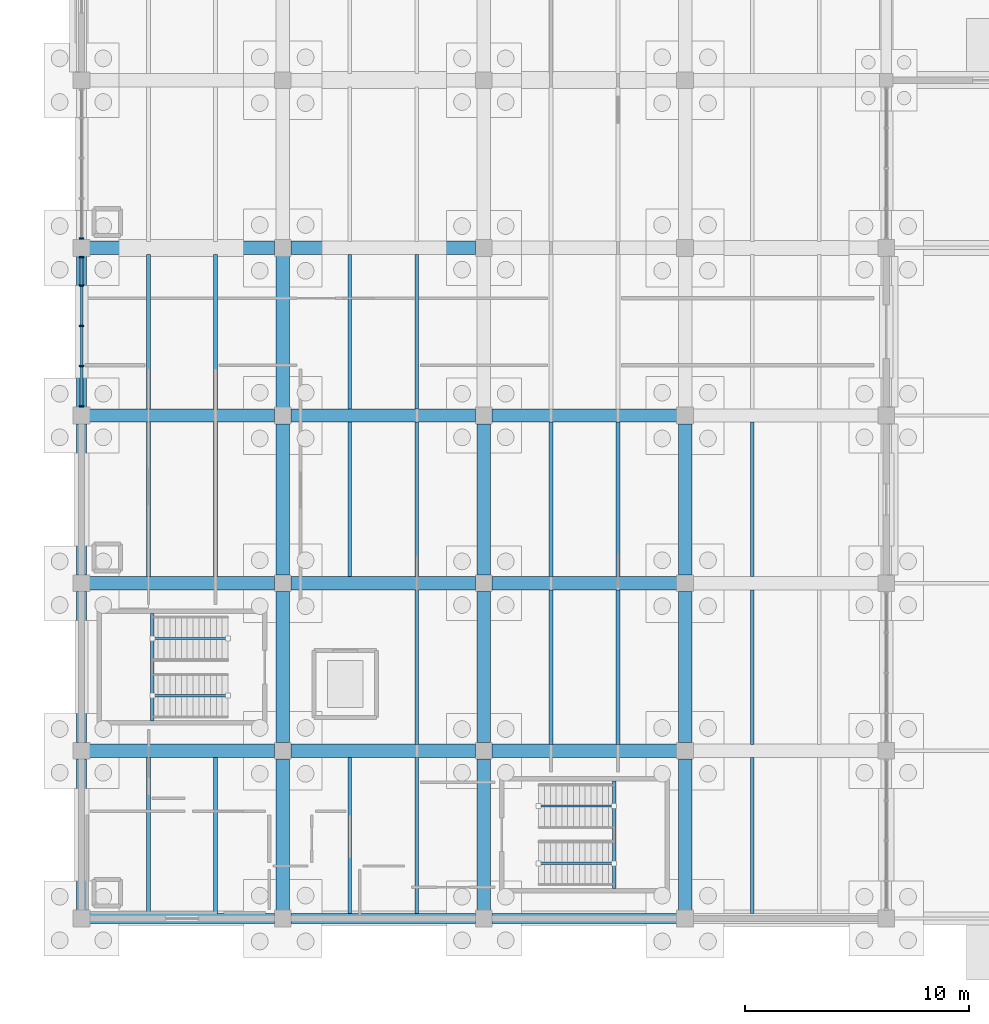
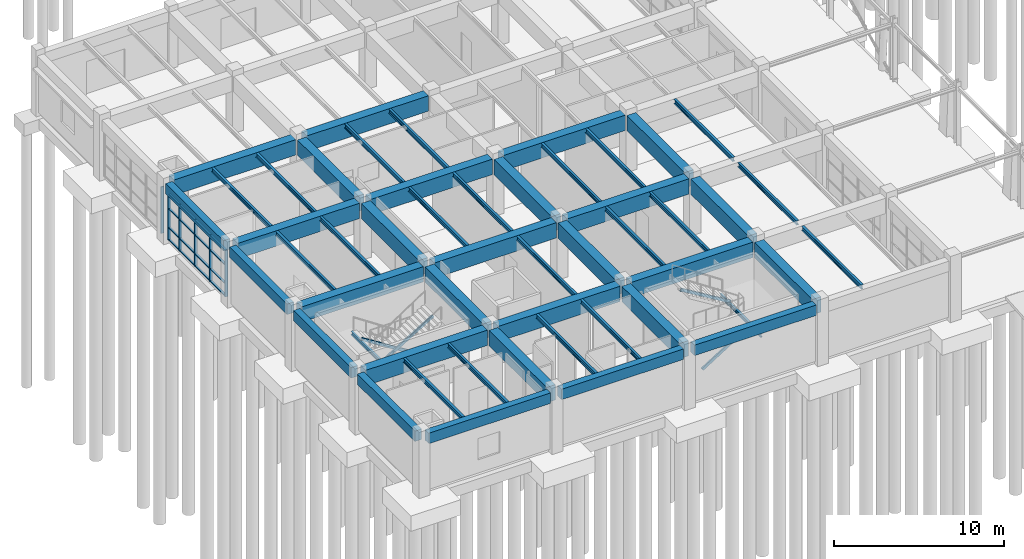
# One storey, part 16 of 93: 50 beams, 26 members, 2 elements without a shape of their own.
"""IFC4 building model written with IfcOpenShell, lengths in metres."""

from ifc_helpers import new_model, si_unit, direction, frame, origin, origin_2d, place, context, subcontext, project, spatial, rectangle, hollow_rectangle, i_section, extrude, material, layer, layer_set, material_profile, profile_set, type_object, element, aggregate, save


model = new_model("IFC4")

# Units and contexts
model_context = context("Model", 3, precision=1e-05, world=origin(), true_north=direction((0.0, 1.0)))
body_context = subcontext(model_context, "Body", "Model", "MODEL_VIEW")
ifc_project = project(units=[si_unit("LENGTHUNIT", "METRE"), si_unit("AREAUNIT", "SQUARE_METRE"), si_unit("VOLUMEUNIT", "CUBIC_METRE"), si_unit("PLANEANGLEUNIT", "RADIAN"), si_unit("MASSUNIT", "GRAM", prefix="KILO")], contexts=[model_context])

# Site, building, storey
site_placement = place(None, origin())
site = spatial("IfcSite", under=ifc_project, at=site_placement, CompositionType="ELEMENT")
building_placement = place(site_placement, origin())
building = spatial("IfcBuilding", under=site, at=building_placement, Name="Marnridge Secondary College", CompositionType="ELEMENT")
storey_placement = place(building_placement, origin())
storey = spatial("IfcBuildingStorey", under=building, at=storey_placement, Name="L00", CompositionType="ELEMENT", Elevation=0.0)

# Beams
ifc_material_1 = material(Name="Concrete C40/50 (AS 3600 N40, 40 MPa)", Category="concrete")
ifc_material_profile_1 = material_profile(ifc_material_1, rectangle(XDim=0.449951171875, YDim=0.75, at=origin_2d()), Name="RC 450x750")
ifc_profile_set_1 = profile_set([ifc_material_profile_1], Name="Concrete C40/50 (AS 3600 N40, 40 MPa)")
beam_type_1 = type_object("IfcBeamType", Name="BM-RC4575-EXT", PredefinedType="SPANDREL", material=ifc_profile_set_1)
beam_1_placement = place(storey_placement, frame((0.368896484375, 0.0, 3.715087890625), z_axis=(1.0, 0.0, 0.0), x_axis=(0.0, 1.0, 0.0)))
element("IfcBeam", 1, at=beam_1_placement, inside=storey, type_object=beam_type_1, Name="Beam BS-L00-0315", PredefinedType="SPANDREL", context=body_context, shape_type="SweptSolid", body=[
    extrude(rectangle(XDim=0.449951171875, YDim=0.75, at=origin_2d()), origin(), (0.0, 0.0, 1.0), 8.26220703125),
])
for number, where, z_axis, x_axis, name in (
    (2, (0.0, 0.368896484375, 3.715087890625), (0.0, 1.0, 0.0), (-1.0, 0.0, 0.0), "Beam BS-L00-0317"),
    (3, (0.0, 7.868896484375, 3.715087890625), (0.0, 1.0, 0.0), (-1.0, 0.0, 0.0), "Beam BS-L00-0320"),
    (4, (0.0, 15.368896484375, 3.715087890625), (0.0, 1.0, 0.0), (-1.0, 0.0, 0.0), "Beam BS-L00-0323"),
    (5, (0.0, 22.868896484375, 3.715087890625), (0.0, 1.0, 0.0), (-1.0, 0.0, 0.0), "Beam BS-L00-0326"),
):
    element("IfcBeam", number, at=place(storey_placement, frame(where, z_axis=z_axis, x_axis=x_axis)), inside=storey, type_object=beam_type_1, Name=name, PredefinedType="SPANDREL", context=body_context, shape_type="SweptSolid", body=[
        extrude(rectangle(XDim=0.449951171875, YDim=0.75, at=origin_2d()), origin(), (0.0, 0.0, 1.0), 6.76220703125),
    ])
for number, where, z_axis, x_axis, name in (
    (6, (9.368896484375, 0.0, 3.715087890625), (1.0, 0.0, 0.0), (0.0, 1.0, 0.0), "Beam BS-L00-0334"),
    (7, (18.368896484375, 0.0, 3.715087890625), (1.0, 0.0, 0.0), (0.0, 1.0, 0.0), "Beam BS-L00-0347"),
):
    element("IfcBeam", number, at=place(storey_placement, frame(where, z_axis=z_axis, x_axis=x_axis)), inside=storey, type_object=beam_type_1, Name=name, PredefinedType="SPANDREL", context=body_context, shape_type="SweptSolid", body=[
        extrude(rectangle(XDim=0.449951171875, YDim=0.75, at=origin_2d()), origin(), (0.0, 0.0, 1.0), 8.26220703125),
    ])
ifc_material_2 = material(Name="Concrete C40/50 (AS 3600 N40, 40 MPa)", Category="concrete")
ifc_material_profile_2 = material_profile(ifc_material_2, rectangle(XDim=0.60009765625, YDim=1.10009765625, at=origin_2d()), Name="RC 600x1100")
ifc_profile_set_2 = profile_set([ifc_material_profile_2], Name="Concrete C40/50 (AS 3600 N40, 40 MPa)")
beam_type_2 = type_object("IfcBeamType", Name="BM-RC6011-INT", PredefinedType="BEAM", material=ifc_profile_set_2)
beam_2_placement = place(storey_placement, frame((0.368896484375, 7.5, 3.5400390625), z_axis=(1.0, 0.0, 0.0), x_axis=(0.0, 1.0, 0.0)))
element("IfcBeam", 8, at=beam_2_placement, inside=storey, type_object=beam_type_2, Name="Beam B-L00-0316", PredefinedType="BEAM", context=body_context, shape_type="SweptSolid", body=[
    extrude(rectangle(XDim=0.60009765625, YDim=1.10009765625, at=origin_2d()), origin(), (0.0, 0.0, 1.0), 8.26220703125),
])
beam_3_placement = place(storey_placement, frame((9.0, 0.368896484375, 3.5400390625), z_axis=(0.0, 1.0, 0.0), x_axis=(-1.0, 0.0, 0.0)))
element("IfcBeam", 9, at=beam_3_placement, inside=storey, type_object=beam_type_2, Name="Beam B-L00-0318", PredefinedType="BEAM", context=body_context, shape_type="SweptSolid", body=[
    extrude(rectangle(XDim=0.60009765625, YDim=1.10009765625, at=origin_2d()), origin(), (0.0, 0.0, 1.0), 6.76220703125),
])
beam_4_placement = place(storey_placement, frame((0.368896484375, 15.0, 3.5400390625), z_axis=(1.0, 0.0, 0.0), x_axis=(0.0, 1.0, 0.0)))
element("IfcBeam", 10, at=beam_4_placement, inside=storey, type_object=beam_type_2, Name="Beam B-L00-0319", PredefinedType="BEAM", context=body_context, shape_type="SweptSolid", body=[
    extrude(rectangle(XDim=0.60009765625, YDim=1.10009765625, at=origin_2d()), origin(), (0.0, 0.0, 1.0), 8.26220703125),
])
beam_5_placement = place(storey_placement, frame((9.0, 7.868896484375, 3.5400390625), z_axis=(0.0, 1.0, 0.0), x_axis=(-1.0, 0.0, 0.0)))
element("IfcBeam", 11, at=beam_5_placement, inside=storey, type_object=beam_type_2, Name="Beam B-L00-0321", PredefinedType="BEAM", context=body_context, shape_type="SweptSolid", body=[
    extrude(rectangle(XDim=0.60009765625, YDim=1.10009765625, at=origin_2d()), origin(), (0.0, 0.0, 1.0), 6.76220703125),
])
beam_6_placement = place(storey_placement, frame((0.368896484375, 22.5, 3.5400390625), z_axis=(1.0, 0.0, 0.0), x_axis=(0.0, 1.0, 0.0)))
element("IfcBeam", 12, at=beam_6_placement, inside=storey, type_object=beam_type_2, Name="Beam B-L00-0322", PredefinedType="BEAM", context=body_context, shape_type="SweptSolid", body=[
    extrude(rectangle(XDim=0.60009765625, YDim=1.10009765625, at=origin_2d()), origin(), (0.0, 0.0, 1.0), 8.26220703125),
])
beam_7_placement = place(storey_placement, frame((9.0, 15.368896484375, 3.5400390625), z_axis=(0.0, 1.0, 0.0), x_axis=(-1.0, 0.0, 0.0)))
element("IfcBeam", 13, at=beam_7_placement, inside=storey, type_object=beam_type_2, Name="Beam B-L00-0324", PredefinedType="BEAM", context=body_context, shape_type="SweptSolid", body=[
    extrude(rectangle(XDim=0.60009765625, YDim=1.10009765625, at=origin_2d()), origin(), (0.0, 0.0, 1.0), 6.76220703125),
])
beam_8_placement = place(storey_placement, frame((0.368896484375, 30.0, 3.5400390625), z_axis=(1.0, 0.0, 0.0), x_axis=(0.0, 1.0, 0.0)))
element("IfcBeam", 14, at=beam_8_placement, inside=storey, type_object=beam_type_2, Name="Beam B-L00-0325", PredefinedType="BEAM", context=body_context, shape_type="SweptSolid", body=[
    extrude(rectangle(XDim=0.60009765625, YDim=1.10009765625, at=origin_2d()), origin(), (0.0, 0.0, 1.0), 8.26220703125),
])
beam_9_placement = place(storey_placement, frame((9.0, 22.868896484375, 3.5400390625), z_axis=(0.0, 1.0, 0.0), x_axis=(-1.0, 0.0, 0.0)))
element("IfcBeam", 15, at=beam_9_placement, inside=storey, type_object=beam_type_2, Name="Beam B-L00-0327", PredefinedType="BEAM", context=body_context, shape_type="SweptSolid", body=[
    extrude(rectangle(XDim=0.60009765625, YDim=1.10009765625, at=origin_2d()), origin(), (0.0, 0.0, 1.0), 6.76220703125),
])
beam_10_placement = place(storey_placement, frame((9.368896484375, 7.5, 3.5400390625), z_axis=(1.0, 0.0, 0.0), x_axis=(0.0, 1.0, 0.0)))
element("IfcBeam", 16, at=beam_10_placement, inside=storey, type_object=beam_type_2, Name="Beam B-L00-0335", PredefinedType="BEAM", context=body_context, shape_type="SweptSolid", body=[
    extrude(rectangle(XDim=0.60009765625, YDim=1.10009765625, at=origin_2d()), origin(), (0.0, 0.0, 1.0), 8.26220703125),
])
beam_11_placement = place(storey_placement, frame((18.0, 0.368896484375, 3.5400390625), z_axis=(0.0, 1.0, 0.0), x_axis=(-1.0, 0.0, 0.0)))
element("IfcBeam", 17, at=beam_11_placement, inside=storey, type_object=beam_type_2, Name="Beam B-L00-0336", PredefinedType="BEAM", context=body_context, shape_type="SweptSolid", body=[
    extrude(rectangle(XDim=0.60009765625, YDim=1.10009765625, at=origin_2d()), origin(), (0.0, 0.0, 1.0), 6.76220703125),
])
beam_12_placement = place(storey_placement, frame((9.368896484375, 15.0, 3.5400390625), z_axis=(1.0, 0.0, 0.0), x_axis=(0.0, 1.0, 0.0)))
element("IfcBeam", 18, at=beam_12_placement, inside=storey, type_object=beam_type_2, Name="Beam B-L00-0337", PredefinedType="BEAM", context=body_context, shape_type="SweptSolid", body=[
    extrude(rectangle(XDim=0.60009765625, YDim=1.10009765625, at=origin_2d()), origin(), (0.0, 0.0, 1.0), 8.26220703125),
])
beam_13_placement = place(storey_placement, frame((18.0, 7.868896484375, 3.5400390625), z_axis=(0.0, 1.0, 0.0), x_axis=(-1.0, 0.0, 0.0)))
element("IfcBeam", 19, at=beam_13_placement, inside=storey, type_object=beam_type_2, Name="Beam B-L00-0338", PredefinedType="BEAM", context=body_context, shape_type="SweptSolid", body=[
    extrude(rectangle(XDim=0.60009765625, YDim=1.10009765625, at=origin_2d()), origin(), (0.0, 0.0, 1.0), 6.76220703125),
])
beam_14_placement = place(storey_placement, frame((9.368896484375, 22.5, 3.5400390625), z_axis=(1.0, 0.0, 0.0), x_axis=(0.0, 1.0, 0.0)))
element("IfcBeam", 20, at=beam_14_placement, inside=storey, type_object=beam_type_2, Name="Beam B-L00-0339", PredefinedType="BEAM", context=body_context, shape_type="SweptSolid", body=[
    extrude(rectangle(XDim=0.60009765625, YDim=1.10009765625, at=origin_2d()), origin(), (0.0, 0.0, 1.0), 8.26220703125),
])
beam_15_placement = place(storey_placement, frame((18.0, 15.368896484375, 3.5400390625), z_axis=(0.0, 1.0, 0.0), x_axis=(-1.0, 0.0, 0.0)))
element("IfcBeam", 21, at=beam_15_placement, inside=storey, type_object=beam_type_2, Name="Beam B-L00-0340", PredefinedType="BEAM", context=body_context, shape_type="SweptSolid", body=[
    extrude(rectangle(XDim=0.60009765625, YDim=1.10009765625, at=origin_2d()), origin(), (0.0, 0.0, 1.0), 6.76220703125),
])
for number, where, z_axis, x_axis, name in (
    (22, (9.368896484375, 30.0, 3.5400390625), (1.0, 0.0, 0.0), (0.0, 1.0, 0.0), "Beam B-L00-0341"),
    (23, (18.368896484375, 7.5, 3.5400390625), (1.0, 0.0, 0.0), (0.0, 1.0, 0.0), "Beam B-L00-0348"),
):
    element("IfcBeam", number, at=place(storey_placement, frame(where, z_axis=z_axis, x_axis=x_axis)), inside=storey, type_object=beam_type_2, Name=name, PredefinedType="BEAM", context=body_context, shape_type="SweptSolid", body=[
        extrude(rectangle(XDim=0.60009765625, YDim=1.10009765625, at=origin_2d()), origin(), (0.0, 0.0, 1.0), 8.26220703125),
    ])
beam_16_placement = place(storey_placement, frame((27.0, 0.368896484375, 3.5400390625), z_axis=(0.0, 1.0, 0.0), x_axis=(-1.0, 0.0, 0.0)))
element("IfcBeam", 24, at=beam_16_placement, inside=storey, type_object=beam_type_2, Name="Beam B-L00-0349", PredefinedType="BEAM", context=body_context, shape_type="SweptSolid", body=[
    extrude(rectangle(XDim=0.60009765625, YDim=1.10009765625, at=origin_2d()), origin(), (0.0, 0.0, 1.0), 6.76220703125),
])
beam_17_placement = place(storey_placement, frame((18.368896484375, 15.0, 3.5400390625), z_axis=(1.0, 0.0, 0.0), x_axis=(0.0, 1.0, 0.0)))
element("IfcBeam", 25, at=beam_17_placement, inside=storey, type_object=beam_type_2, Name="Beam B-L00-0350", PredefinedType="BEAM", context=body_context, shape_type="SweptSolid", body=[
    extrude(rectangle(XDim=0.60009765625, YDim=1.10009765625, at=origin_2d()), origin(), (0.0, 0.0, 1.0), 8.26220703125),
])
beam_18_placement = place(storey_placement, frame((27.0, 7.868896484375, 3.5400390625), z_axis=(0.0, 1.0, 0.0), x_axis=(-1.0, 0.0, 0.0)))
element("IfcBeam", 26, at=beam_18_placement, inside=storey, type_object=beam_type_2, Name="Beam B-L00-0351", PredefinedType="BEAM", context=body_context, shape_type="SweptSolid", body=[
    extrude(rectangle(XDim=0.60009765625, YDim=1.10009765625, at=origin_2d()), origin(), (0.0, 0.0, 1.0), 6.76220703125),
])
beam_19_placement = place(storey_placement, frame((18.368896484375, 22.5, 3.5400390625), z_axis=(1.0, 0.0, 0.0), x_axis=(0.0, 1.0, 0.0)))
element("IfcBeam", 27, at=beam_19_placement, inside=storey, type_object=beam_type_2, Name="Beam B-L00-0352", PredefinedType="BEAM", context=body_context, shape_type="SweptSolid", body=[
    extrude(rectangle(XDim=0.60009765625, YDim=1.10009765625, at=origin_2d()), origin(), (0.0, 0.0, 1.0), 8.26220703125),
])
beam_20_placement = place(storey_placement, frame((27.0, 15.368896484375, 3.5400390625), z_axis=(0.0, 1.0, 0.0), x_axis=(-1.0, 0.0, 0.0)))
element("IfcBeam", 28, at=beam_20_placement, inside=storey, type_object=beam_type_2, Name="Beam B-L00-0353", PredefinedType="BEAM", context=body_context, shape_type="SweptSolid", body=[
    extrude(rectangle(XDim=0.60009765625, YDim=1.10009765625, at=origin_2d()), origin(), (0.0, 0.0, 1.0), 6.76220703125),
])
ifc_material_3 = material(Name="Structural steel Grade 350 (AS/NZS 3679.1/.2, fy = 340-360 MPa)", Category="steel")
ifc_material_profile_3 = material_profile(ifc_material_3, i_section(OverallWidth=0.146240234375, OverallDepth=0.256103515625, WebThickness=0.00634765625, FlangeThickness=0.010986328125, FilletRadius=0.0087890625, at=origin_2d()), Name="250UB37.3")
ifc_profile_set_3 = profile_set([ifc_material_profile_3], Name="Structural steel Grade 350 (AS/NZS 3679.1/.2, fy = 340-360 MPa)")
beam_type_3 = type_object("IfcBeamType", Name="BM-UB250-EXT", PredefinedType="LINTEL", material=ifc_profile_set_3)
for number, where, z_axis, x_axis, name in (
    (29, (3.169921875, 8.842041015625, 1.921875), (0.0, 1.0, 0.0), (-1.0, 0.0, 0.0), "Stair landing trimmer beam BT-L00-021"),
    (30, (23.830078125, 1.342041015625, 1.921875), (0.0, 1.0, 0.0), (-1.0, 0.0, 0.0), "Stair landing trimmer beam BT-L00-029"),
):
    element("IfcBeam", number, at=place(storey_placement, frame(where, z_axis=z_axis, x_axis=x_axis)), inside=storey, type_object=beam_type_3, Name=name, PredefinedType="LINTEL", context=body_context, shape_type="SweptSolid", body=[
        extrude(i_section(OverallWidth=0.146240234375, OverallDepth=0.256103515625, WebThickness=0.00634765625, FlangeThickness=0.010986328125, FilletRadius=0.0087890625, at=origin_2d()), origin(), (0.0, 0.0, 1.0), 4.802978515625),
    ])
ifc_material_4 = material(Name="Structural steel Grade 350 (AS/NZS 3679.1/.2, fy = 340-360 MPa)", Category="steel")
ifc_material_profile_4 = material_profile(ifc_material_4, i_section(OverallWidth=0.166015625, OverallDepth=0.30712890625, WebThickness=0.006591796875, FlangeThickness=0.01171875, FilletRadius=0.011474609375, at=origin_2d()), Name="310UB46.2")
ifc_profile_set_4 = profile_set([ifc_material_profile_4], Name="Structural steel Grade 350 (AS/NZS 3679.1/.2, fy = 340-360 MPa)")
beam_type_4 = type_object("IfcBeamType", Name="BM-UB310A-INT", PredefinedType="BEAM", material=ifc_profile_set_4)
for number, where, z_axis, x_axis, name in (
    (31, (3.0, 0.218994140625, 3.936279296875), (0.0, 1.0, 0.0), (-1.0, 0.0, 0.0), "Beam BJ-L00-0373"),
    (32, (6.0, 0.218994140625, 3.936279296875), (0.0, 1.0, 0.0), (-1.0, 0.0, 0.0), "Beam BJ-L00-0374"),
):
    element("IfcBeam", number, at=place(storey_placement, frame(where, z_axis=z_axis, x_axis=x_axis)), inside=storey, type_object=beam_type_4, Name=name, PredefinedType="BEAM", context=body_context, shape_type="SweptSolid", body=[
        extrude(i_section(OverallWidth=0.166015625, OverallDepth=0.30712890625, WebThickness=0.006591796875, FlangeThickness=0.01171875, FilletRadius=0.011474609375, at=origin_2d()), origin(), (0.0, 0.0, 1.0), 6.987060546875),
    ])
for number, where, z_axis, x_axis, name in (
    (33, (3.0, 15.2939453125, 3.936279296875), (0.0, 1.0, 0.0), (-1.0, 0.0, 0.0), "Beam BJ-L00-0375"),
    (34, (6.0, 15.2939453125, 3.936279296875), (0.0, 1.0, 0.0), (-1.0, 0.0, 0.0), "Beam BJ-L00-0376"),
    (35, (3.0, 22.7939453125, 3.936279296875), (0.0, 1.0, 0.0), (-1.0, 0.0, 0.0), "Beam BJ-L00-0377"),
    (36, (6.0, 22.7939453125, 3.936279296875), (0.0, 1.0, 0.0), (-1.0, 0.0, 0.0), "Beam BJ-L00-0378"),
):
    element("IfcBeam", number, at=place(storey_placement, frame(where, z_axis=z_axis, x_axis=x_axis)), inside=storey, type_object=beam_type_4, Name=name, PredefinedType="BEAM", context=body_context, shape_type="SweptSolid", body=[
        extrude(i_section(OverallWidth=0.166015625, OverallDepth=0.30712890625, WebThickness=0.006591796875, FlangeThickness=0.01171875, FilletRadius=0.011474609375, at=origin_2d()), origin(), (0.0, 0.0, 1.0), 6.912109375),
    ])
for number, where, z_axis, x_axis, name in (
    (37, (12.0, 0.218994140625, 3.936279296875), (0.0, 1.0, 0.0), (-1.0, 0.0, 0.0), "Beam BJ-L00-0383"),
    (38, (15.0, 0.218994140625, 3.936279296875), (0.0, 1.0, 0.0), (-1.0, 0.0, 0.0), "Beam BJ-L00-0384"),
):
    element("IfcBeam", number, at=place(storey_placement, frame(where, z_axis=z_axis, x_axis=x_axis)), inside=storey, type_object=beam_type_4, Name=name, PredefinedType="BEAM", context=body_context, shape_type="SweptSolid", body=[
        extrude(i_section(OverallWidth=0.166015625, OverallDepth=0.30712890625, WebThickness=0.006591796875, FlangeThickness=0.01171875, FilletRadius=0.011474609375, at=origin_2d()), origin(), (0.0, 0.0, 1.0), 6.987060546875),
    ])
for number, where, z_axis, x_axis, name in (
    (39, (15.0, 7.7939453125, 3.936279296875), (0.0, 1.0, 0.0), (-1.0, 0.0, 0.0), "Beam BJ-L00-0385"),
    (40, (12.0, 15.2939453125, 3.936279296875), (0.0, 1.0, 0.0), (-1.0, 0.0, 0.0), "Beam BJ-L00-0386"),
    (41, (15.0, 15.2939453125, 3.936279296875), (0.0, 1.0, 0.0), (-1.0, 0.0, 0.0), "Beam BJ-L00-0387"),
    (42, (12.0, 22.7939453125, 3.936279296875), (0.0, 1.0, 0.0), (-1.0, 0.0, 0.0), "Beam BJ-L00-0388"),
    (43, (15.0, 22.7939453125, 3.936279296875), (0.0, 1.0, 0.0), (-1.0, 0.0, 0.0), "Beam BJ-L00-0389"),
    (44, (21.0, 7.7939453125, 3.936279296875), (0.0, 1.0, 0.0), (-1.0, 0.0, 0.0), "Beam BJ-L00-0394"),
    (45, (24.0, 7.7939453125, 3.936279296875), (0.0, 1.0, 0.0), (-1.0, 0.0, 0.0), "Beam BJ-L00-0395"),
    (46, (21.0, 15.2939453125, 3.936279296875), (0.0, 1.0, 0.0), (-1.0, 0.0, 0.0), "Beam BJ-L00-0396"),
    (47, (24.0, 15.2939453125, 3.936279296875), (0.0, 1.0, 0.0), (-1.0, 0.0, 0.0), "Beam BJ-L00-0397"),
):
    element("IfcBeam", number, at=place(storey_placement, frame(where, z_axis=z_axis, x_axis=x_axis)), inside=storey, type_object=beam_type_4, Name=name, PredefinedType="BEAM", context=body_context, shape_type="SweptSolid", body=[
        extrude(i_section(OverallWidth=0.166015625, OverallDepth=0.30712890625, WebThickness=0.006591796875, FlangeThickness=0.01171875, FilletRadius=0.011474609375, at=origin_2d()), origin(), (0.0, 0.0, 1.0), 6.912109375),
    ])
beam_21_placement = place(storey_placement, frame((30.0, 0.218994140625, 3.936279296875), z_axis=(0.0, 1.0, 0.0), x_axis=(-1.0, 0.0, 0.0)))
element("IfcBeam", 48, at=beam_21_placement, inside=storey, type_object=beam_type_4, Name="Beam BJ-L00-0404", PredefinedType="BEAM", context=body_context, shape_type="SweptSolid", body=[
    extrude(i_section(OverallWidth=0.166015625, OverallDepth=0.30712890625, WebThickness=0.006591796875, FlangeThickness=0.01171875, FilletRadius=0.011474609375, at=origin_2d()), origin(), (0.0, 0.0, 1.0), 6.987060546875),
])
for number, where, z_axis, x_axis, name in (
    (49, (30.0, 7.7939453125, 3.936279296875), (0.0, 1.0, 0.0), (-1.0, 0.0, 0.0), "Beam BJ-L00-0406"),
    (50, (30.0, 15.2939453125, 3.936279296875), (0.0, 1.0, 0.0), (-1.0, 0.0, 0.0), "Beam BJ-L00-0408"),
):
    element("IfcBeam", number, at=place(storey_placement, frame(where, z_axis=z_axis, x_axis=x_axis)), inside=storey, type_object=beam_type_4, Name=name, PredefinedType="BEAM", context=body_context, shape_type="SweptSolid", body=[
        extrude(i_section(OverallWidth=0.166015625, OverallDepth=0.30712890625, WebThickness=0.006591796875, FlangeThickness=0.01171875, FilletRadius=0.011474609375, at=origin_2d()), origin(), (0.0, 0.0, 1.0), 6.912109375),
    ])

# Curtain wall, members
ifc_material_5 = material(Name="Bronze-anodised aluminium and solar-control glazing", Category="aluminium")
ifc_layer = layer(ifc_material_5, 0.199951171875)
ifc_layer_set = layer_set([ifc_layer], Name="CW-MOD-1800")
curtain_wall_type = type_object("IfcCurtainWallType", Name="CW-MOD-1800", PredefinedType="NOTDEFINED", material=ifc_layer_set)
curtain_wall_1_placement = place(storey_placement, origin())
curtain_wall_1 = element("IfcCurtainWall", 51, at=curtain_wall_1_placement, inside=storey, type_object=curtain_wall_type, Name="Unitised curtain wall CW-L00-026", PredefinedType="NOTDEFINED")
ifc_material_6 = material(Name="Bronze-anodised aluminium 6063-T6", Category="aluminium")
ifc_material_profile_5 = material_profile(ifc_material_6, rectangle(XDim=0.070068359375, YDim=0.199951171875, at=origin_2d()), Name="ALU 70x200")
ifc_profile_set_5 = profile_set([ifc_material_profile_5], Name="Bronze-anodised aluminium 6063-T6")
member_type_1 = type_object("IfcMemberType", Name="CWM-ALU200", PredefinedType="MULLION", material=ifc_profile_set_5)
member_1_placement = place(storey_placement, frame((0.0, 22.9140625, 0.0), z_axis=(0.0, 0.0, 1.0), x_axis=(0.0, 1.0, 0.0)))
member_1 = element("IfcMember", 52, at=member_1_placement, type_object=member_type_1, Name="CW-L00-026 mullion 1", PredefinedType="MULLION", context=body_context, shape_type="SweptSolid", body=[
    extrude(rectangle(XDim=0.070068359375, YDim=0.199951171875, at=origin_2d()), origin(), (0.0, 0.0, 1.0), 3.33203125),
])
member_2_placement = place(storey_placement, frame((0.0, 24.714111328125, 0.0), z_axis=(0.0, 0.0, 1.0), x_axis=(0.0, 1.0, 0.0)))
member_2 = element("IfcMember", 53, at=member_2_placement, type_object=member_type_1, Name="CW-L00-026 mullion 2", PredefinedType="MULLION", context=body_context, shape_type="SweptSolid", body=[
    extrude(rectangle(XDim=0.070068359375, YDim=0.199951171875, at=origin_2d()), origin(), (0.0, 0.0, 1.0), 3.33203125),
])
member_3_placement = place(storey_placement, frame((0.0, 26.513916015625, 0.0), z_axis=(0.0, 0.0, 1.0), x_axis=(0.0, 1.0, 0.0)))
member_3 = element("IfcMember", 54, at=member_3_placement, type_object=member_type_1, Name="CW-L00-026 mullion 3", PredefinedType="MULLION", context=body_context, shape_type="SweptSolid", body=[
    extrude(rectangle(XDim=0.070068359375, YDim=0.199951171875, at=origin_2d()), origin(), (0.0, 0.0, 1.0), 3.33203125),
])
member_4_placement = place(storey_placement, frame((0.0, 28.31396484375, 0.0), z_axis=(0.0, 0.0, 1.0), x_axis=(0.0, 1.0, 0.0)))
member_4 = element("IfcMember", 55, at=member_4_placement, type_object=member_type_1, Name="CW-L00-026 mullion 4", PredefinedType="MULLION", context=body_context, shape_type="SweptSolid", body=[
    extrude(rectangle(XDim=0.070068359375, YDim=0.199951171875, at=origin_2d()), origin(), (0.0, 0.0, 1.0), 3.33203125),
])
member_5_placement = place(storey_placement, frame((0.0, 29.5859375, 0.0), z_axis=(0.0, 0.0, 1.0), x_axis=(0.0, 1.0, 0.0)))
member_5 = element("IfcMember", 56, at=member_5_placement, type_object=member_type_1, Name="CW-L00-026 mullion 5", PredefinedType="MULLION", context=body_context, shape_type="SweptSolid", body=[
    extrude(rectangle(XDim=0.070068359375, YDim=0.199951171875, at=origin_2d()), origin(), (0.0, 0.0, 1.0), 3.33203125),
])

# Curtain wall, member
curtain_wall_2_placement = place(storey_placement, origin())
curtain_wall_2 = element("IfcCurtainWall", 57, at=curtain_wall_2_placement, inside=storey, type_object=curtain_wall_type, Name="Unitised curtain wall CW-L00-027", PredefinedType="NOTDEFINED")
member_6_placement = place(storey_placement, frame((0.0, 30.4140625, 0.0), z_axis=(0.0, 0.0, 1.0), x_axis=(0.0, 1.0, 0.0)))
member_6 = element("IfcMember", 58, at=member_6_placement, type_object=member_type_1, Name="CW-L00-027 mullion 1", PredefinedType="MULLION", context=body_context, shape_type="SweptSolid", body=[
    extrude(rectangle(XDim=0.070068359375, YDim=0.199951171875, at=origin_2d()), origin(), (0.0, 0.0, 1.0), 3.33203125),
])
aggregate(curtain_wall_2, [member_6])

# Member
ifc_material_7 = material(Name="Anodised aluminium 6063-T6", Category="aluminium")
ifc_material_profile_6 = material_profile(ifc_material_7, rectangle(XDim=0.06494140625, YDim=0.139892578125, at=origin_2d()), Name="ALU 65x140")
ifc_profile_set_6 = profile_set([ifc_material_profile_6], Name="Anodised aluminium 6063-T6")
member_type_2 = type_object("IfcMemberType", Name="CWT-ALU140", PredefinedType="USERDEFINED", material=ifc_profile_set_6)
member_7_placement = place(storey_placement, frame((0.0, 22.948974609375, 0.032470703125), z_axis=(0.0, 1.0, 0.0), x_axis=(0.0, 0.0, 1.0)))
member_7 = element("IfcMember", 59, at=member_7_placement, type_object=member_type_2, Name="CW-L00-026 transom 1.1", ObjectType="TRANSOM", PredefinedType="USERDEFINED", context=body_context, shape_type="SweptSolid", body=[
    extrude(rectangle(XDim=0.06494140625, YDim=0.139892578125, at=origin_2d()), origin(), (0.0, 0.0, 1.0), 1.72998046875),
])

member_8_placement = place(storey_placement, frame((0.0, 22.948974609375, 0.89990234375), z_axis=(0.0, 1.0, 0.0), x_axis=(0.0, 0.0, 1.0)))
member_8 = element("IfcMember", 60, at=member_8_placement, type_object=member_type_2, Name="CW-L00-026 transom 1.2", ObjectType="TRANSOM", PredefinedType="USERDEFINED", context=body_context, shape_type="SweptSolid", body=[
    extrude(rectangle(XDim=0.06494140625, YDim=0.139892578125, at=origin_2d()), origin(), (0.0, 0.0, 1.0), 1.72998046875),
])

member_9_placement = place(storey_placement, frame((0.0, 22.948974609375, 2.25), z_axis=(0.0, 1.0, 0.0), x_axis=(0.0, 0.0, 1.0)))
member_9 = element("IfcMember", 61, at=member_9_placement, type_object=member_type_2, Name="CW-L00-026 transom 1.3", ObjectType="TRANSOM", PredefinedType="USERDEFINED", context=body_context, shape_type="SweptSolid", body=[
    extrude(rectangle(XDim=0.06494140625, YDim=0.139892578125, at=origin_2d()), origin(), (0.0, 0.0, 1.0), 1.72998046875),
])

member_10_placement = place(storey_placement, frame((0.0, 22.948974609375, 3.299560546875), z_axis=(0.0, 1.0, 0.0), x_axis=(0.0, 0.0, 1.0)))
member_10 = element("IfcMember", 62, at=member_10_placement, type_object=member_type_2, Name="CW-L00-026 transom 1.4", ObjectType="TRANSOM", PredefinedType="USERDEFINED", context=body_context, shape_type="SweptSolid", body=[
    extrude(rectangle(XDim=0.06494140625, YDim=0.139892578125, at=origin_2d()), origin(), (0.0, 0.0, 1.0), 1.72998046875),
])

member_11_placement = place(storey_placement, frame((0.0, 24.7490234375, 0.032470703125), z_axis=(0.0, 1.0, 0.0), x_axis=(0.0, 0.0, 1.0)))
member_11 = element("IfcMember", 63, at=member_11_placement, type_object=member_type_2, Name="CW-L00-026 transom 2.1", ObjectType="TRANSOM", PredefinedType="USERDEFINED", context=body_context, shape_type="SweptSolid", body=[
    extrude(rectangle(XDim=0.06494140625, YDim=0.139892578125, at=origin_2d()), origin(), (0.0, 0.0, 1.0), 1.72998046875),
])

member_12_placement = place(storey_placement, frame((0.0, 24.7490234375, 0.89990234375), z_axis=(0.0, 1.0, 0.0), x_axis=(0.0, 0.0, 1.0)))
member_12 = element("IfcMember", 64, at=member_12_placement, type_object=member_type_2, Name="CW-L00-026 transom 2.2", ObjectType="TRANSOM", PredefinedType="USERDEFINED", context=body_context, shape_type="SweptSolid", body=[
    extrude(rectangle(XDim=0.06494140625, YDim=0.139892578125, at=origin_2d()), origin(), (0.0, 0.0, 1.0), 1.72998046875),
])

member_13_placement = place(storey_placement, frame((0.0, 24.7490234375, 2.25), z_axis=(0.0, 1.0, 0.0), x_axis=(0.0, 0.0, 1.0)))
member_13 = element("IfcMember", 65, at=member_13_placement, type_object=member_type_2, Name="CW-L00-026 transom 2.3", ObjectType="TRANSOM", PredefinedType="USERDEFINED", context=body_context, shape_type="SweptSolid", body=[
    extrude(rectangle(XDim=0.06494140625, YDim=0.139892578125, at=origin_2d()), origin(), (0.0, 0.0, 1.0), 1.72998046875),
])

member_14_placement = place(storey_placement, frame((0.0, 24.7490234375, 3.299560546875), z_axis=(0.0, 1.0, 0.0), x_axis=(0.0, 0.0, 1.0)))
member_14 = element("IfcMember", 66, at=member_14_placement, type_object=member_type_2, Name="CW-L00-026 transom 2.4", ObjectType="TRANSOM", PredefinedType="USERDEFINED", context=body_context, shape_type="SweptSolid", body=[
    extrude(rectangle(XDim=0.06494140625, YDim=0.139892578125, at=origin_2d()), origin(), (0.0, 0.0, 1.0), 1.72998046875),
])

member_15_placement = place(storey_placement, frame((0.0, 26.549072265625, 0.032470703125), z_axis=(0.0, 1.0, 0.0), x_axis=(0.0, 0.0, 1.0)))
member_15 = element("IfcMember", 67, at=member_15_placement, type_object=member_type_2, Name="CW-L00-026 transom 3.1", ObjectType="TRANSOM", PredefinedType="USERDEFINED", context=body_context, shape_type="SweptSolid", body=[
    extrude(rectangle(XDim=0.06494140625, YDim=0.139892578125, at=origin_2d()), origin(), (0.0, 0.0, 1.0), 1.72998046875),
])

member_16_placement = place(storey_placement, frame((0.0, 26.549072265625, 0.89990234375), z_axis=(0.0, 1.0, 0.0), x_axis=(0.0, 0.0, 1.0)))
member_16 = element("IfcMember", 68, at=member_16_placement, type_object=member_type_2, Name="CW-L00-026 transom 3.2", ObjectType="TRANSOM", PredefinedType="USERDEFINED", context=body_context, shape_type="SweptSolid", body=[
    extrude(rectangle(XDim=0.06494140625, YDim=0.139892578125, at=origin_2d()), origin(), (0.0, 0.0, 1.0), 1.72998046875),
])

member_17_placement = place(storey_placement, frame((0.0, 26.549072265625, 2.25), z_axis=(0.0, 1.0, 0.0), x_axis=(0.0, 0.0, 1.0)))
member_17 = element("IfcMember", 69, at=member_17_placement, type_object=member_type_2, Name="CW-L00-026 transom 3.3", ObjectType="TRANSOM", PredefinedType="USERDEFINED", context=body_context, shape_type="SweptSolid", body=[
    extrude(rectangle(XDim=0.06494140625, YDim=0.139892578125, at=origin_2d()), origin(), (0.0, 0.0, 1.0), 1.72998046875),
])

member_18_placement = place(storey_placement, frame((0.0, 26.549072265625, 3.299560546875), z_axis=(0.0, 1.0, 0.0), x_axis=(0.0, 0.0, 1.0)))
member_18 = element("IfcMember", 70, at=member_18_placement, type_object=member_type_2, Name="CW-L00-026 transom 3.4", ObjectType="TRANSOM", PredefinedType="USERDEFINED", context=body_context, shape_type="SweptSolid", body=[
    extrude(rectangle(XDim=0.06494140625, YDim=0.139892578125, at=origin_2d()), origin(), (0.0, 0.0, 1.0), 1.72998046875),
])

member_19_placement = place(storey_placement, frame((0.0, 28.34912109375, 0.032470703125), z_axis=(0.0, 1.0, 0.0), x_axis=(0.0, 0.0, 1.0)))
member_19 = element("IfcMember", 71, at=member_19_placement, type_object=member_type_2, Name="CW-L00-026 transom 4.1", ObjectType="TRANSOM", PredefinedType="USERDEFINED", context=body_context, shape_type="SweptSolid", body=[
    extrude(rectangle(XDim=0.06494140625, YDim=0.139892578125, at=origin_2d()), origin(), (0.0, 0.0, 1.0), 1.201904296875),
])

member_20_placement = place(storey_placement, frame((0.0, 28.34912109375, 0.89990234375), z_axis=(0.0, 1.0, 0.0), x_axis=(0.0, 0.0, 1.0)))
member_20 = element("IfcMember", 72, at=member_20_placement, type_object=member_type_2, Name="CW-L00-026 transom 4.2", ObjectType="TRANSOM", PredefinedType="USERDEFINED", context=body_context, shape_type="SweptSolid", body=[
    extrude(rectangle(XDim=0.06494140625, YDim=0.139892578125, at=origin_2d()), origin(), (0.0, 0.0, 1.0), 1.201904296875),
])

member_21_placement = place(storey_placement, frame((0.0, 28.34912109375, 2.25), z_axis=(0.0, 1.0, 0.0), x_axis=(0.0, 0.0, 1.0)))
member_21 = element("IfcMember", 73, at=member_21_placement, type_object=member_type_2, Name="CW-L00-026 transom 4.3", ObjectType="TRANSOM", PredefinedType="USERDEFINED", context=body_context, shape_type="SweptSolid", body=[
    extrude(rectangle(XDim=0.06494140625, YDim=0.139892578125, at=origin_2d()), origin(), (0.0, 0.0, 1.0), 1.201904296875),
])

member_22_placement = place(storey_placement, frame((0.0, 28.34912109375, 3.299560546875), z_axis=(0.0, 1.0, 0.0), x_axis=(0.0, 0.0, 1.0)))
member_22 = element("IfcMember", 74, at=member_22_placement, type_object=member_type_2, Name="CW-L00-026 transom 4.4", ObjectType="TRANSOM", PredefinedType="USERDEFINED", context=body_context, shape_type="SweptSolid", body=[
    extrude(rectangle(XDim=0.06494140625, YDim=0.139892578125, at=origin_2d()), origin(), (0.0, 0.0, 1.0), 1.201904296875),
])

aggregate(curtain_wall_1, [member_1, member_2, member_3, member_4, member_5, member_7, member_8, member_9, member_10, member_11, member_12, member_13, member_14, member_15, member_16, member_17, member_18, member_19, member_20, member_21, member_22])

# Members
ifc_material_8 = material(Name="Cold-formed steel Grade C350L0 (AS/NZS 1163, fy = 350 MPa)", Category="steel")
ifc_material_profile_7 = material_profile(ifc_material_8, hollow_rectangle(XDim=0.10009765625, YDim=0.199951171875, WallThickness=0.006103515625, at=origin_2d()), Name="200x100x6.0RHS")
ifc_profile_set_7 = profile_set([ifc_material_profile_7], Name="Cold-formed steel Grade C350L0 (AS/NZS 1163, fy = 350 MPa)")
member_type_3 = type_object("IfcMemberType", Name="MB-STR-RHS200", PredefinedType="STRINGER", material=ifc_profile_set_7)
member_23_placement = place(storey_placement, frame((6.550048828125, 12.530029296875, 0.014892578125), z_axis=(-0.846349195689, 0.0, 0.532628424849), x_axis=(0.0, -1.0, 0.0)))
element("IfcMember", 75, at=member_23_placement, inside=storey, type_object=member_type_3, Name="Stair stringer STR-021", PredefinedType="STRINGER", context=body_context, shape_type="SweptSolid", body=[
    extrude(hollow_rectangle(XDim=0.10009765625, YDim=0.199951171875, WallThickness=0.006103515625, at=origin_2d()), origin(), (0.0, 0.0, 1.0), 3.99365234375),
])
member_24_placement = place(storey_placement, frame((3.169921875, 9.969970703125, 2.14208984375), z_axis=(0.856180586194, 0.0, 0.516676691777), x_axis=(0.0, 1.0, 0.0)))
element("IfcMember", 76, at=member_24_placement, inside=storey, type_object=member_type_3, Name="Stair stringer STR-022", PredefinedType="STRINGER", context=body_context, shape_type="SweptSolid", body=[
    extrude(hollow_rectangle(XDim=0.10009765625, YDim=0.199951171875, WallThickness=0.006103515625, at=origin_2d()), origin(), (0.0, 0.0, 1.0), 3.947998046875),
])
member_25_placement = place(storey_placement, frame((20.449951171875, 2.469970703125, 0.014892578125), z_axis=(0.846349195689, 0.0, 0.532628424849), x_axis=(0.0, 1.0, 0.0)))
element("IfcMember", 77, at=member_25_placement, inside=storey, type_object=member_type_3, Name="Stair stringer STR-029", PredefinedType="STRINGER", context=body_context, shape_type="SweptSolid", body=[
    extrude(hollow_rectangle(XDim=0.10009765625, YDim=0.199951171875, WallThickness=0.006103515625, at=origin_2d()), origin(), (0.0, 0.0, 1.0), 3.99365234375),
])
member_26_placement = place(storey_placement, frame((23.830078125, 5.030029296875, 2.14208984375), z_axis=(-0.856180586194, 0.0, 0.516676691777), x_axis=(0.0, -1.0, 0.0)))
element("IfcMember", 78, at=member_26_placement, inside=storey, type_object=member_type_3, Name="Stair stringer STR-030", PredefinedType="STRINGER", context=body_context, shape_type="SweptSolid", body=[
    extrude(hollow_rectangle(XDim=0.10009765625, YDim=0.199951171875, WallThickness=0.006103515625, at=origin_2d()), origin(), (0.0, 0.0, 1.0), 3.947998046875),
])

save(model, "model.ifc")
